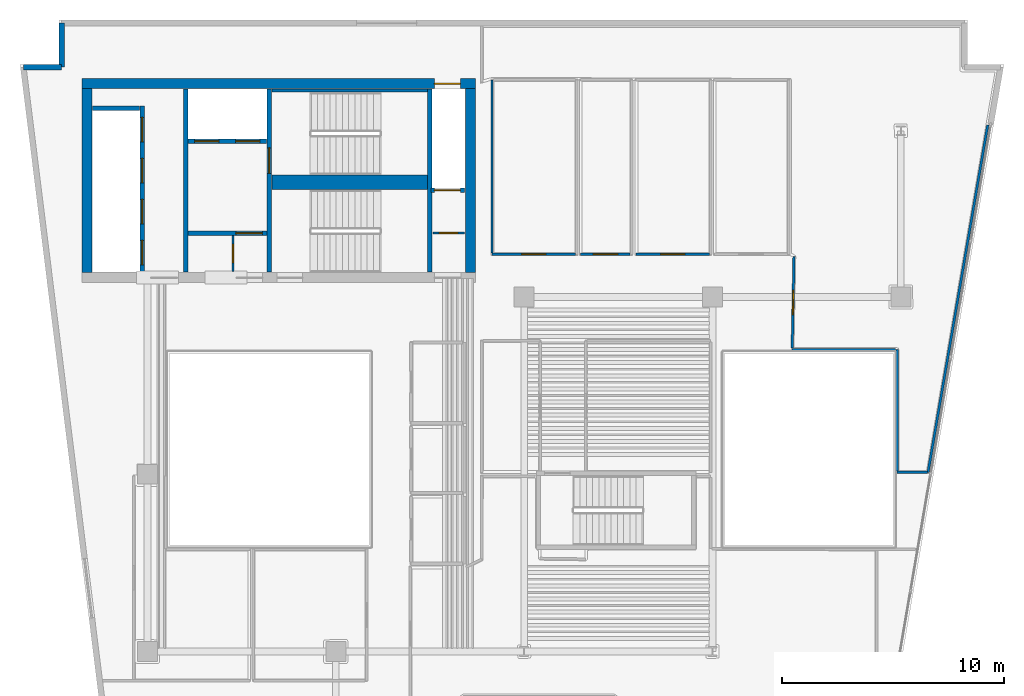
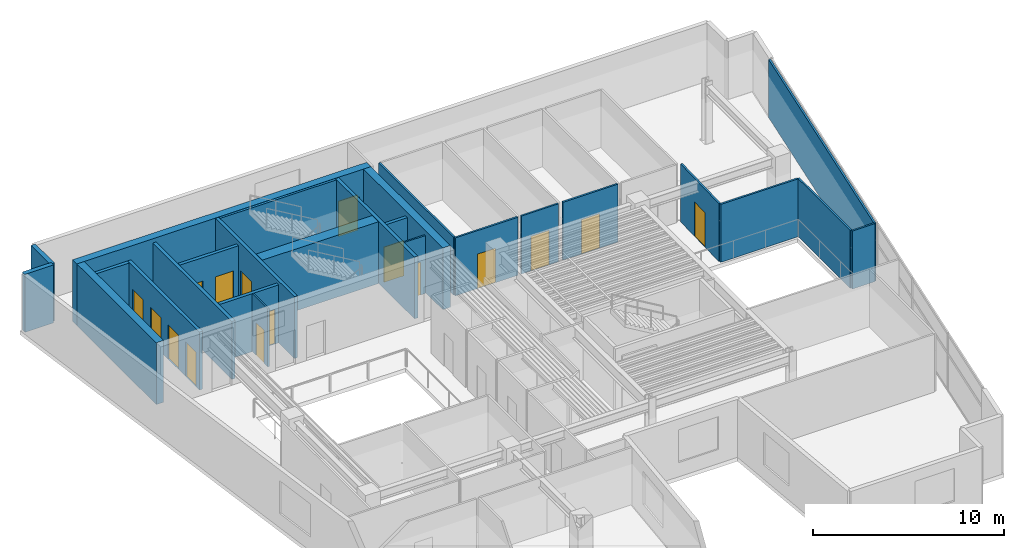
# One storey, part 5 of 9: 26 walls, 16 doors, 16 openings.
"""IFC4 building model written with IfcOpenShell, lengths in metres."""

from ifc_helpers import new_model, si_unit, direction, frame, frame_2d, origin, place, context, subcontext, project, spatial, rectangle, extrude, material, layer, layer_set, type_object, element, fill, save


model = new_model("IFC4")

# Units and contexts
model_context = context("Model", 3, precision=1e-05, world=origin(), true_north=direction((0.0, 1.0)))
body_context = subcontext(model_context, "Body", "Model", "MODEL_VIEW")
ifc_project = project(units=[si_unit("LENGTHUNIT", "METRE"), si_unit("AREAUNIT", "SQUARE_METRE"), si_unit("VOLUMEUNIT", "CUBIC_METRE"), si_unit("PLANEANGLEUNIT", "RADIAN"), si_unit("MASSUNIT", "GRAM", prefix="KILO")], contexts=[model_context])

# Site, building, storey
site_placement = place(None, origin())
site = spatial("IfcSite", under=ifc_project, at=site_placement, CompositionType="ELEMENT")
building_placement = place(site_placement, origin())
building = spatial("IfcBuilding", under=site, at=building_placement, Name="Caeloran Harvest Quay", CompositionType="ELEMENT")
storey_placement = place(building_placement, frame((0.0, 0.0, 195.60009765625)))
storey = spatial("IfcBuildingStorey", under=building, at=storey_placement, Name="L46", CompositionType="ELEMENT", Elevation=195.60009765625)

# Walls
ifc_material_1 = material(Name="Precast concrete C50/60", Category="concrete")
ifc_layer_1 = layer(ifc_material_1, 0.260009765625, Name="Precast concrete C50/60")
ifc_layer_set_1 = layer_set([ifc_layer_1], Name="Precast concrete C50/60")
wall_type_1 = type_object("IfcWallType", Name="ENV-WALL-EW-260", PredefinedType="STANDARD", material=ifc_layer_set_1)
wall_1_placement = place(storey_placement, frame((2.89599609375, 41.3701171875, 0.0), z_axis=(0.0, 0.0, 1.0), x_axis=(1.0, 0.0, 0.0)))
element("IfcWall", 1, at=wall_1_placement, inside=storey, type_object=wall_type_1, Name="L46 Exterior Precast Concrete Facade Wall 4", PredefinedType="STANDARD", context=body_context, shape_type="SweptSolid", body=[
    extrude(rectangle(XDim=1.73388671875, YDim=0.260009765625, at=frame_2d((0.866943359375, 0.0))), origin(), (0.0, 0.0, 1.0), 3.699951171875),
])
wall_2_placement = place(storey_placement, frame((4.6298828125, 41.3701171875, 0.0), z_axis=(0.0, 0.0, 1.0), x_axis=(0.0, 1.0, 0.0)))
element("IfcWall", 2, at=wall_2_placement, inside=storey, type_object=wall_type_1, Name="L46 Exterior Precast Concrete Facade Wall 5", PredefinedType="STANDARD", context=body_context, shape_type="SweptSolid", body=[
    extrude(rectangle(XDim=2.0, YDim=0.260009765625, at=frame_2d((1.0, 0.0))), origin(), (0.0, 0.0, 1.0), 3.699951171875),
])

# Wall, opening, door
ifc_material_2 = material(Name="Fire-Resisting Gypsum Core Riser Partition", Category="gypsum")
ifc_layer_2 = layer(ifc_material_2, 0.10009765625, Name="Fire-Resisting Gypsum Core Riser Partition")
ifc_layer_set_2 = layer_set([ifc_layer_2], Name="Fire-Resisting Gypsum Core Riser Partition")
wall_type_2 = type_object("IfcWallType", Name="INT-WALL-PW-100", PredefinedType="PARTITIONING", material=ifc_layer_set_2)
wall_3_placement = place(storey_placement, frame((12.360107421875, 32.159912109375, 0.0), z_axis=(0.0, 0.0, 1.0), x_axis=(0.0, 1.0, 0.0)))
wall_3 = element("IfcWall", 3, at=wall_3_placement, inside=storey, type_object=wall_type_2, Name="L46 Core Store Partition Wall", PredefinedType="PARTITIONING", context=body_context, shape_type="SweptSolid", body=[
    extrude(rectangle(XDim=1.6201171875, YDim=0.10009765625, at=frame_2d((0.81005859375, 0.0))), origin(), (0.0, 0.0, 1.0), 3.699951171875),
])
opening_1_placement = place(wall_3_placement, frame((0.3798828125, 0.0, 0.0)))
opening_1 = element("IfcOpeningElement", 4, at=opening_1_placement, cuts=wall_3, Name="Opening SV-01", PredefinedType="OPENING", context=body_context, shape_type="SweptSolid", body=[
    extrude(rectangle(XDim=0.85009765625, YDim=2.10009765625, at=frame_2d((0.425048828125, 1.050048828125))), frame((0.0, 0.06005859375, 0.0), z_axis=(0.0, -1.0, 0.0), x_axis=(1.0, 0.0, 0.0)), (0.0, 0.0, 1.0), 0.1201171875),
])
ifc_material_3 = material(Name="Galvanized Painted Steel", Category="steel")
door_type_1 = type_object("IfcDoorType", Name="INTDOOR-SV-01", OperationType="NOTDEFINED", PredefinedType="DOOR", material=ifc_material_3)
door_1_placement = place(opening_1_placement, origin())
door_1 = element("IfcDoor", 5, at=door_1_placement, inside=storey, type_object=door_type_1, Name="L46 Core Service Room Access Door", OperationType="SINGLE_SWING_LEFT", OverallHeight=2.10009765625, OverallWidth=0.85009765625, PredefinedType="DOOR", context=body_context, shape_type="SweptSolid", body=[
    extrude(rectangle(XDim=0.85009765625, YDim=2.10009765625, at=frame_2d((0.425048828125, 1.050048828125))), frame((0.0, 0.02490234375, 0.0), z_axis=(0.0, -1.0, 0.0), x_axis=(1.0, 0.0, 0.0)), (0.0, 0.0, 1.0), 0.050048828125),
])
fill(opening_1, door_1)

wall_4_placement = place(storey_placement, frame((21.3798828125, 33.889892578125, 0.0), z_axis=(0.0, 0.0, 1.0), x_axis=(1.0, 0.0, 0.0)))
wall_4 = element("IfcWall", 6, at=wall_4_placement, inside=storey, type_object=wall_type_2, Name="L46 Cleaner Store Partition Wall", PredefinedType="PARTITIONING", context=body_context, shape_type="SweptSolid", body=[
    extrude(rectangle(XDim=1.420166015625, YDim=0.10009765625, at=frame_2d((0.7099609375, 0.0))), origin(), (0.0, 0.0, 1.0), 3.699951171875),
])
opening_2_placement = place(wall_4_placement, frame((0.280029296875, 0.0, 0.0)))
opening_2 = element("IfcOpeningElement", 7, at=opening_2_placement, cuts=wall_4, Name="Opening SV-01", PredefinedType="OPENING", context=body_context, shape_type="SweptSolid", body=[
    extrude(rectangle(XDim=0.85009765625, YDim=2.10009765625, at=frame_2d((0.425048828125, 1.050048828125))), frame((0.0, 0.06005859375, 0.0), z_axis=(0.0, -1.0, 0.0), x_axis=(1.0, 0.0, 0.0)), (0.0, 0.0, 1.0), 0.1201171875),
])
door_2_placement = place(opening_2_placement, origin())
door_2 = element("IfcDoor", 8, at=door_2_placement, inside=storey, type_object=door_type_1, Name="L46 Cleaner Supply Store Access Door", OperationType="SINGLE_SWING_RIGHT", OverallHeight=2.10009765625, OverallWidth=0.85009765625, PredefinedType="DOOR", context=body_context, shape_type="SweptSolid", body=[
    extrude(rectangle(XDim=0.85009765625, YDim=2.10009765625, at=frame_2d((0.425048828125, 1.050048828125))), frame((0.0, 0.02490234375, 0.0), z_axis=(0.0, -1.0, 0.0), x_axis=(1.0, 0.0, 0.0)), (0.0, 0.0, 1.0), 0.050048828125),
])
fill(opening_2, door_2)

ifc_material_4 = material(Name="Single-Stud Acoustic Gypsum Office Partition", Category="gypsum")
ifc_layer_3 = layer(ifc_material_4, 0.112060546875, Name="Single-Stud Acoustic Gypsum Office Partition")
ifc_layer_set_3 = layer_set([ifc_layer_3], Name="Single-Stud Acoustic Gypsum Office Partition")
wall_type_3 = type_object("IfcWallType", Name="INT-WALL-PW-112", PredefinedType="PARTITIONING", material=ifc_layer_set_3)
wall_5_placement = place(storey_placement, frame((27.819091796875, 32.919921875, 0.0), z_axis=(0.0, 0.0, 1.0), x_axis=(-1.0, 0.0, 0.0)))
wall_5 = element("IfcWall", 9, at=wall_5_placement, inside=storey, type_object=wall_type_3, Name="L46 Crop Phenotyping West Laboratory Partition Wall", PredefinedType="PARTITIONING", context=body_context, shape_type="SweptSolid", body=[
    extrude(rectangle(XDim=3.76904296875, YDim=0.112060546875, at=frame_2d((1.884521484375, 0.0))), origin(), (0.0, 0.0, 1.0), 3.699951171875),
])
opening_3_placement = place(wall_5_placement, frame((1.33447265625, 0.0, 0.0)))
opening_3 = element("IfcOpeningElement", 10, at=opening_3_placement, cuts=wall_5, Name="Opening ID-04", PredefinedType="OPENING", context=body_context, shape_type="SweptSolid", body=[
    extrude(rectangle(XDim=1.10009765625, YDim=2.199951171875, at=frame_2d((0.550048828125, 1.10009765625))), frame((0.0, 0.06591796875, 0.0), z_axis=(0.0, -1.0, 0.0), x_axis=(1.0, 0.0, 0.0)), (0.0, 0.0, 1.0), 0.132080078125),
])
ifc_material_5 = material(Name="Acoustic Walnut Veneer Executive Door", Category="wood")
door_type_2 = type_object("IfcDoorType", Name="INTDOOR-ID-04", OperationType="NOTDEFINED", PredefinedType="DOOR", material=ifc_material_5)
door_3_placement = place(opening_3_placement, origin())
door_3 = element("IfcDoor", 11, at=door_3_placement, inside=storey, type_object=door_type_2, Name="L46 Crop Phenotyping West Laboratory Access Door", OperationType="SINGLE_SWING_LEFT", OverallHeight=2.199951171875, OverallWidth=1.10009765625, PredefinedType="DOOR", context=body_context, shape_type="SweptSolid", body=[
    extrude(rectangle(XDim=1.10009765625, YDim=2.199951171875, at=frame_2d((0.550048828125, 1.10009765625))), frame((0.0, 0.02490234375, 0.0), z_axis=(0.0, -1.0, 0.0), x_axis=(1.0, 0.0, 0.0)), (0.0, 0.0, 1.0), 0.050048828125),
])
fill(opening_3, door_3)

# Wall
wall_6_placement = place(storey_placement, frame((24.050048828125, 32.98095703125, 0.0), z_axis=(0.0, 0.0, 1.0), x_axis=(0.0, 1.0, 0.0)))
element("IfcWall", 12, at=wall_6_placement, inside=storey, type_object=wall_type_3, Name="L46 Crop Phenotyping West Laboratory Partition Wall", PredefinedType="PARTITIONING", context=body_context, shape_type="SweptSolid", body=[
    extrude(rectangle(XDim=7.819091796875, YDim=0.112060546875, at=frame_2d((3.90966796875, 0.0))), origin(), (0.0, 0.0, 1.0), 3.699951171875),
])

# Wall, opening, door
wall_7_placement = place(storey_placement, frame((30.2890625, 32.919921875, 0.0), z_axis=(0.0, 0.0, 1.0), x_axis=(-1.0, 0.0, 0.0)))
wall_7 = element("IfcWall", 13, at=wall_7_placement, inside=storey, type_object=wall_type_3, Name="L46 Genomics Sequencing East Studio Partition Wall", PredefinedType="PARTITIONING", context=body_context, shape_type="SweptSolid", body=[
    extrude(rectangle(XDim=2.2490234375, YDim=0.112060546875, at=frame_2d((1.12451171875, 0.0))), origin(), (0.0, 0.0, 1.0), 3.699951171875),
])
opening_4_placement = place(wall_7_placement, frame((0.574462890625, 0.0, 0.0)))
opening_4 = element("IfcOpeningElement", 14, at=opening_4_placement, cuts=wall_7, Name="Opening ID-04", PredefinedType="OPENING", context=body_context, shape_type="SweptSolid", body=[
    extrude(rectangle(XDim=1.10009765625, YDim=2.199951171875, at=frame_2d((0.550048828125, 1.10009765625))), frame((0.0, 0.06591796875, 0.0), z_axis=(0.0, -1.0, 0.0), x_axis=(1.0, 0.0, 0.0)), (0.0, 0.0, 1.0), 0.132080078125),
])
door_4_placement = place(opening_4_placement, origin())
door_4 = element("IfcDoor", 15, at=door_4_placement, inside=storey, type_object=door_type_2, Name="L46 Genomics Sequencing East Studio Access Door", OperationType="SINGLE_SWING_RIGHT", OverallHeight=2.199951171875, OverallWidth=1.10009765625, PredefinedType="DOOR", context=body_context, shape_type="SweptSolid", body=[
    extrude(rectangle(XDim=1.10009765625, YDim=2.199951171875, at=frame_2d((0.550048828125, 1.10009765625))), frame((0.0, 0.02490234375, 0.0), z_axis=(0.0, -1.0, 0.0), x_axis=(1.0, 0.0, 0.0)), (0.0, 0.0, 1.0), 0.050048828125),
])
fill(opening_4, door_4)

wall_8_placement = place(storey_placement, frame((33.85888671875, 32.919921875, 0.0), z_axis=(0.0, 0.0, 1.0), x_axis=(-1.0, 0.0, 0.0)))
wall_8 = element("IfcWall", 16, at=wall_8_placement, inside=storey, type_object=wall_type_3, Name="L46 Agri-Genomics West Boardroom Partition Wall", PredefinedType="PARTITIONING", context=body_context, shape_type="SweptSolid", body=[
    extrude(rectangle(XDim=3.308837890625, YDim=0.112060546875, at=frame_2d((1.654296875, 0.0))), origin(), (0.0, 0.0, 1.0), 3.699951171875),
])
opening_5_placement = place(wall_8_placement, frame((1.1044921875, 0.0, 0.0)))
opening_5 = element("IfcOpeningElement", 17, at=opening_5_placement, cuts=wall_8, Name="Opening ID-04", PredefinedType="OPENING", context=body_context, shape_type="SweptSolid", body=[
    extrude(rectangle(XDim=1.10009765625, YDim=2.199951171875, at=frame_2d((0.550048828125, 1.10009765625))), frame((0.0, 0.06591796875, 0.0), z_axis=(0.0, -1.0, 0.0), x_axis=(1.0, 0.0, 0.0)), (0.0, 0.0, 1.0), 0.132080078125),
])
door_5_placement = place(opening_5_placement, origin())
door_5 = element("IfcDoor", 18, at=door_5_placement, inside=storey, type_object=door_type_2, Name="L46 Agri-Genomics West Boardroom Access Door", OperationType="SINGLE_SWING_LEFT", OverallHeight=2.199951171875, OverallWidth=1.10009765625, PredefinedType="DOOR", context=body_context, shape_type="SweptSolid", body=[
    extrude(rectangle(XDim=1.10009765625, YDim=2.199951171875, at=frame_2d((0.550048828125, 1.10009765625))), frame((0.0, 0.02490234375, 0.0), z_axis=(0.0, -1.0, 0.0), x_axis=(1.0, 0.0, 0.0)), (0.0, 0.0, 1.0), 0.050048828125),
])
fill(opening_5, door_5)

# Walls
wall_9_placement = place(storey_placement, frame((46.422119140625, 38.7626953125, 0.0), z_axis=(0.0, 0.0, 1.0), x_axis=(-0.169427539839, -0.985542646842, 0.0)))
element("IfcWall", 19, at=wall_9_placement, inside=storey, type_object=wall_type_3, Name="IT Comms Laboratory Partition Wall", PredefinedType="PARTITIONING", context=body_context, shape_type="SweptSolid", body=[
    extrude(rectangle(XDim=15.91259765625, YDim=0.112060546875, at=frame_2d((7.956298828125, 0.0))), origin(), (0.0, 0.0, 1.0), 3.699951171875),
])
wall_10_placement = place(storey_placement, frame((43.696533203125, 23.080078125, 0.0), z_axis=(0.0, 0.0, 1.0), x_axis=(-1.0, 0.0, 0.0)))
element("IfcWall", 20, at=wall_10_placement, inside=storey, type_object=wall_type_3, Name="IT Comms Laboratory Partition Wall", PredefinedType="PARTITIONING", context=body_context, shape_type="SweptSolid", body=[
    extrude(rectangle(XDim=1.366455078125, YDim=0.112060546875, at=frame_2d((0.68310546875, 0.0))), origin(), (0.0, 0.0, 1.0), 3.699951171875),
])
wall_11_placement = place(storey_placement, frame((42.330078125, 23.14111328125, 0.0), z_axis=(0.0, 0.0, 1.0), x_axis=(0.0, 1.0, 0.0)))
element("IfcWall", 21, at=wall_11_placement, inside=storey, type_object=wall_type_3, Name="IT Comms Laboratory Partition Wall", PredefinedType="PARTITIONING", context=body_context, shape_type="SweptSolid", body=[
    extrude(rectangle(XDim=5.48876953125, YDim=0.112060546875, at=frame_2d((2.744384765625, 0.0))), origin(), (0.0, 0.0, 1.0), 3.699951171875),
])
wall_12_placement = place(storey_placement, frame((42.26904296875, 28.6298828125, 0.0), z_axis=(0.0, 0.0, 1.0), x_axis=(-1.0, 0.0, 0.0)))
element("IfcWall", 22, at=wall_12_placement, inside=storey, type_object=wall_type_3, Name="IT Comms Laboratory Partition Wall", PredefinedType="PARTITIONING", context=body_context, shape_type="SweptSolid", body=[
    extrude(rectangle(XDim=4.671142578125, YDim=0.112060546875, at=frame_2d((2.33544921875, 0.0))), origin(), (0.0, 0.0, 1.0), 3.699951171875),
])

# Wall, opening, door
wall_13_placement = place(storey_placement, frame((37.59912109375, 28.69091796875, 0.0), z_axis=(0.0, 0.0, 1.0), x_axis=(0.019566997539, 0.999808547977, 0.0)))
wall_13 = element("IfcWall", 23, at=wall_13_placement, inside=storey, type_object=wall_type_3, Name="IT Comms Laboratory Partition Wall", PredefinedType="PARTITIONING", context=body_context, shape_type="SweptSolid", body=[
    extrude(rectangle(XDim=4.1298828125, YDim=0.112060546875, at=frame_2d((2.06494140625, 0.0))), origin(), (0.0, 0.0, 1.0), 3.699951171875),
])
opening_6_placement = place(wall_13_placement, frame((1.514892578125, 0.0, 0.0)))
opening_6 = element("IfcOpeningElement", 24, at=opening_6_placement, cuts=wall_13, Name="Opening ID-04", PredefinedType="OPENING", context=body_context, shape_type="SweptSolid", body=[
    extrude(rectangle(XDim=1.10009765625, YDim=2.199951171875, at=frame_2d((0.550048828125, 1.10009765625))), frame((0.0, 0.06591796875, 0.0), z_axis=(0.0, -1.0, 0.0), x_axis=(1.0, 0.0, 0.0)), (0.0, 0.0, 1.0), 0.132080078125),
])
door_6_placement = place(opening_6_placement, origin())
door_6 = element("IfcDoor", 25, at=door_6_placement, inside=storey, type_object=door_type_2, Name="IT Comms Laboratory Access Door", OperationType="SINGLE_SWING_LEFT", OverallHeight=2.199951171875, OverallWidth=1.10009765625, PredefinedType="DOOR", context=body_context, shape_type="SweptSolid", body=[
    extrude(rectangle(XDim=1.10009765625, YDim=2.199951171875, at=frame_2d((0.550048828125, 1.10009765625))), frame((0.0, 0.02490234375, 0.0), z_axis=(0.0, -1.0, 0.0), x_axis=(1.0, 0.0, 0.0)), (0.0, 0.0, 1.0), 0.050048828125),
])
fill(opening_6, door_6)

# Wall, openings, doors
ifc_material_6 = material(Name="Concrete C50/60", Category="concrete")
ifc_layer_4 = layer(ifc_material_6, 0.199951171875, Name="Concrete C50/60")
ifc_layer_set_4 = layer_set([ifc_layer_4], Name="Concrete C50/60")
wall_type_4 = type_object("IfcWallType", Name="INT-WALL-SW-200", PredefinedType="PARTITIONING", material=ifc_layer_set_4)
wall_14_placement = place(storey_placement, frame((8.260009765625, 32.1201171875, 0.0), z_axis=(0.0, 0.0, 1.0), x_axis=(0.0, 1.0, 0.0)))
wall_14 = element("IfcWall", 26, at=wall_14_placement, inside=storey, type_object=wall_type_4, Name="L46 Bank 3 Lift Shaft Wall", PredefinedType="PARTITIONING", context=body_context, shape_type="SweptSolid", body=[
    extrude(rectangle(XDim=7.5, YDim=0.199951171875, at=frame_2d((3.75, 0.0))), origin(), (0.0, 0.0, 1.0), 3.699951171875),
])
opening_7_placement = place(wall_14_placement, frame((0.330078125, 0.0, 0.0)))
opening_7 = element("IfcOpeningElement", 27, at=opening_7_placement, cuts=wall_14, Name="Opening LD-01", PredefinedType="OPENING", context=body_context, shape_type="SweptSolid", body=[
    extrude(rectangle(XDim=1.10009765625, YDim=2.199951171875, at=frame_2d((0.550048828125, 1.10009765625))), frame((0.0, 0.10986328125, 0.0), z_axis=(0.0, -1.0, 0.0), x_axis=(1.0, 0.0, 0.0)), (0.0, 0.0, 1.0), 0.219970703125),
])
opening_8_placement = place(wall_14_placement, frame((2.179931640625, 0.0, 0.0)))
opening_8 = element("IfcOpeningElement", 28, at=opening_8_placement, cuts=wall_14, Name="Opening LD-01", PredefinedType="OPENING", context=body_context, shape_type="SweptSolid", body=[
    extrude(rectangle(XDim=1.10009765625, YDim=2.199951171875, at=frame_2d((0.550048828125, 1.10009765625))), frame((0.0, 0.10986328125, 0.0), z_axis=(0.0, -1.0, 0.0), x_axis=(1.0, 0.0, 0.0)), (0.0, 0.0, 1.0), 0.219970703125),
])
opening_9_placement = place(wall_14_placement, frame((4.030029296875, 0.0, 0.0)))
opening_9 = element("IfcOpeningElement", 29, at=opening_9_placement, cuts=wall_14, Name="Opening LD-01", PredefinedType="OPENING", context=body_context, shape_type="SweptSolid", body=[
    extrude(rectangle(XDim=1.10009765625, YDim=2.199951171875, at=frame_2d((0.550048828125, 1.10009765625))), frame((0.0, 0.10986328125, 0.0), z_axis=(0.0, -1.0, 0.0), x_axis=(1.0, 0.0, 0.0)), (0.0, 0.0, 1.0), 0.219970703125),
])
opening_10_placement = place(wall_14_placement, frame((5.8798828125, 0.0, 0.0)))
opening_10 = element("IfcOpeningElement", 30, at=opening_10_placement, cuts=wall_14, Name="Opening LD-01", PredefinedType="OPENING", context=body_context, shape_type="SweptSolid", body=[
    extrude(rectangle(XDim=1.10009765625, YDim=2.199951171875, at=frame_2d((0.550048828125, 1.10009765625))), frame((0.0, 0.10986328125, 0.0), z_axis=(0.0, -1.0, 0.0), x_axis=(1.0, 0.0, 0.0)), (0.0, 0.0, 1.0), 0.219970703125),
])
ifc_material_7 = material(Name="Stainless Steel Grade 316", Category="steel")
door_type_3 = type_object("IfcDoorType", Name="INTDOOR-LD-01", OperationType="NOTDEFINED", PredefinedType="DOOR", material=ifc_material_7)
door_7_placement = place(opening_7_placement, origin())
door_7 = element("IfcDoor", 31, at=door_7_placement, inside=storey, type_object=door_type_3, Name="Lift P3-1 Sliding Landing Door (L46)", OperationType="DOUBLE_DOOR_SLIDING", OverallHeight=2.199951171875, OverallWidth=1.10009765625, PredefinedType="DOOR", context=body_context, shape_type="SweptSolid", body=[
    extrude(rectangle(XDim=1.10009765625, YDim=2.199951171875, at=frame_2d((0.550048828125, 1.10009765625))), frame((0.0, 0.02490234375, 0.0), z_axis=(0.0, -1.0, 0.0), x_axis=(1.0, 0.0, 0.0)), (0.0, 0.0, 1.0), 0.050048828125),
])
fill(opening_7, door_7)
door_8_placement = place(opening_8_placement, origin())
door_8 = element("IfcDoor", 32, at=door_8_placement, inside=storey, type_object=door_type_3, Name="Lift P3-2 Sliding Landing Door (L46)", OperationType="DOUBLE_DOOR_SLIDING", OverallHeight=2.199951171875, OverallWidth=1.10009765625, PredefinedType="DOOR", context=body_context, shape_type="SweptSolid", body=[
    extrude(rectangle(XDim=1.10009765625, YDim=2.199951171875, at=frame_2d((0.550048828125, 1.10009765625))), frame((0.0, 0.02490234375, 0.0), z_axis=(0.0, -1.0, 0.0), x_axis=(1.0, 0.0, 0.0)), (0.0, 0.0, 1.0), 0.050048828125),
])
fill(opening_8, door_8)
door_9_placement = place(opening_9_placement, origin())
door_9 = element("IfcDoor", 33, at=door_9_placement, inside=storey, type_object=door_type_3, Name="Lift P3-3 Sliding Landing Door (L46)", OperationType="DOUBLE_DOOR_SLIDING", OverallHeight=2.199951171875, OverallWidth=1.10009765625, PredefinedType="DOOR", context=body_context, shape_type="SweptSolid", body=[
    extrude(rectangle(XDim=1.10009765625, YDim=2.199951171875, at=frame_2d((0.550048828125, 1.10009765625))), frame((0.0, 0.02490234375, 0.0), z_axis=(0.0, -1.0, 0.0), x_axis=(1.0, 0.0, 0.0)), (0.0, 0.0, 1.0), 0.050048828125),
])
fill(opening_9, door_9)
door_10_placement = place(opening_10_placement, origin())
door_10 = element("IfcDoor", 34, at=door_10_placement, inside=storey, type_object=door_type_3, Name="Lift P3-4 Sliding Landing Door (L46)", OperationType="DOUBLE_DOOR_SLIDING", OverallHeight=2.199951171875, OverallWidth=1.10009765625, PredefinedType="DOOR", context=body_context, shape_type="SweptSolid", body=[
    extrude(rectangle(XDim=1.10009765625, YDim=2.199951171875, at=frame_2d((0.550048828125, 1.10009765625))), frame((0.0, 0.02490234375, 0.0), z_axis=(0.0, -1.0, 0.0), x_axis=(1.0, 0.0, 0.0)), (0.0, 0.0, 1.0), 0.050048828125),
])
fill(opening_10, door_10)

# Walls
wall_15_placement = place(storey_placement, frame((6.02001953125, 39.52001953125, 0.0), z_axis=(0.0, 0.0, 1.0), x_axis=(1.0, 0.0, 0.0)))
element("IfcWall", 35, at=wall_15_placement, inside=storey, type_object=wall_type_4, Name="L46 Bank 3 Lift Shaft North End Wall", PredefinedType="PARTITIONING", context=body_context, shape_type="SweptSolid", body=[
    extrude(rectangle(XDim=2.119873046875, YDim=0.199951171875, at=frame_2d((1.06005859375, 0.0))), origin(), (0.0, 0.0, 1.0), 3.699951171875),
])
wall_16_placement = place(storey_placement, frame((10.219970703125, 32.1201171875, 0.0), z_axis=(0.0, 0.0, 1.0), x_axis=(0.0, 1.0, 0.0)))
element("IfcWall", 36, at=wall_16_placement, inside=storey, type_object=wall_type_4, Name="L46 Core Lobby Compartment Wall", PredefinedType="PARTITIONING", context=body_context, shape_type="SweptSolid", body=[
    extrude(rectangle(XDim=8.259765625, YDim=0.199951171875, at=frame_2d((4.1298828125, 0.0))), origin(), (0.0, 0.0, 1.0), 3.699951171875),
])

# Wall, openings, doors
wall_17_placement = place(storey_placement, frame((10.340087890625, 38.02001953125, 0.0), z_axis=(0.0, 0.0, 1.0), x_axis=(1.0, 0.0, 0.0)))
wall_17 = element("IfcWall", 37, at=wall_17_placement, inside=storey, type_object=wall_type_4, Name="L46 Firefighting Lift Shaft Wall", PredefinedType="PARTITIONING", context=body_context, shape_type="SweptSolid", body=[
    extrude(rectangle(XDim=3.539794921875, YDim=0.199951171875, at=frame_2d((1.77001953125, 0.0))), origin(), (0.0, 0.0, 1.0), 3.699951171875),
])
opening_11_placement = place(wall_17_placement, frame((0.284912109375, 0.0, 0.0)))
opening_11 = element("IfcOpeningElement", 38, at=opening_11_placement, cuts=wall_17, Name="Opening LD-01", PredefinedType="OPENING", context=body_context, shape_type="SweptSolid", body=[
    extrude(rectangle(XDim=1.10009765625, YDim=2.199951171875, at=frame_2d((0.550048828125, 1.10009765625))), frame((0.0, 0.10986328125, 0.0), z_axis=(0.0, -1.0, 0.0), x_axis=(1.0, 0.0, 0.0)), (0.0, 0.0, 1.0), 0.219970703125),
])
opening_12_placement = place(wall_17_placement, frame((2.135009765625, 0.0, 0.0)))
opening_12 = element("IfcOpeningElement", 39, at=opening_12_placement, cuts=wall_17, Name="Opening LD-01", PredefinedType="OPENING", context=body_context, shape_type="SweptSolid", body=[
    extrude(rectangle(XDim=1.10009765625, YDim=2.199951171875, at=frame_2d((0.550048828125, 1.10009765625))), frame((0.0, 0.10986328125, 0.0), z_axis=(0.0, -1.0, 0.0), x_axis=(1.0, 0.0, 0.0)), (0.0, 0.0, 1.0), 0.219970703125),
])
door_11_placement = place(opening_11_placement, origin())
door_11 = element("IfcDoor", 40, at=door_11_placement, inside=storey, type_object=door_type_3, Name="Lift FF-1 Sliding Landing Door (L46)", OperationType="DOUBLE_DOOR_SLIDING", OverallHeight=2.199951171875, OverallWidth=1.10009765625, PredefinedType="DOOR", context=body_context, shape_type="SweptSolid", body=[
    extrude(rectangle(XDim=1.10009765625, YDim=2.199951171875, at=frame_2d((0.550048828125, 1.10009765625))), frame((0.0, 0.02490234375, 0.0), z_axis=(0.0, -1.0, 0.0), x_axis=(1.0, 0.0, 0.0)), (0.0, 0.0, 1.0), 0.050048828125),
])
fill(opening_11, door_11)
door_12_placement = place(opening_12_placement, origin())
door_12 = element("IfcDoor", 41, at=door_12_placement, inside=storey, type_object=door_type_3, Name="Lift FF-2 Sliding Landing Door (L46)", OperationType="DOUBLE_DOOR_SLIDING", OverallHeight=2.199951171875, OverallWidth=1.10009765625, PredefinedType="DOOR", context=body_context, shape_type="SweptSolid", body=[
    extrude(rectangle(XDim=1.10009765625, YDim=2.199951171875, at=frame_2d((0.550048828125, 1.10009765625))), frame((0.0, 0.02490234375, 0.0), z_axis=(0.0, -1.0, 0.0), x_axis=(1.0, 0.0, 0.0)), (0.0, 0.0, 1.0), 0.050048828125),
])
fill(opening_12, door_12)

# Wall, opening, door
wall_18_placement = place(storey_placement, frame((10.340087890625, 33.8798828125, 0.0), z_axis=(0.0, 0.0, 1.0), x_axis=(1.0, 0.0, 0.0)))
wall_18 = element("IfcWall", 42, at=wall_18_placement, inside=storey, type_object=wall_type_4, Name="L46 Firefighting Lift Lobby Enclosure Wall", PredefinedType="PARTITIONING", context=body_context, shape_type="SweptSolid", body=[
    extrude(rectangle(XDim=3.559814453125, YDim=0.199951171875, at=frame_2d((1.77978515625, 0.0))), origin(), (0.0, 0.0, 1.0), 3.699951171875),
])
opening_13_placement = place(wall_18_placement, frame((2.14990234375, 0.0, 0.0)))
opening_13 = element("IfcOpeningElement", 43, at=opening_13_placement, cuts=wall_18, Name="Opening FD-01", PredefinedType="OPENING", context=body_context, shape_type="SweptSolid", body=[
    extrude(rectangle(XDim=1.199951171875, YDim=2.199951171875, at=frame_2d((0.60009765625, 1.10009765625))), frame((0.0, 0.10986328125, 0.0), z_axis=(0.0, -1.0, 0.0), x_axis=(1.0, 0.0, 0.0)), (0.0, 0.0, 1.0), 0.219970703125),
])
ifc_material_8 = material(Name="Steel", Category="steel")
door_type_4 = type_object("IfcDoorType", Name="INTDOOR-FD-01", OperationType="NOTDEFINED", PredefinedType="DOOR", material=ifc_material_8)
door_13_placement = place(opening_13_placement, origin())
door_13 = element("IfcDoor", 44, at=door_13_placement, inside=storey, type_object=door_type_4, Name="L46 Firefighting Lift Lobby Smoke-Seal Fire Door", OperationType="SINGLE_SWING_LEFT", OverallHeight=2.199951171875, OverallWidth=1.199951171875, PredefinedType="DOOR", context=body_context, shape_type="SweptSolid", body=[
    extrude(rectangle(XDim=1.199951171875, YDim=2.199951171875, at=frame_2d((0.60009765625, 1.10009765625))), frame((0.0, 0.02490234375, 0.0), z_axis=(0.0, -1.0, 0.0), x_axis=(1.0, 0.0, 0.0)), (0.0, 0.0, 1.0), 0.050048828125),
])
fill(opening_13, door_13)

wall_19_placement = place(storey_placement, frame((21.300048828125, 35.820068359375, 0.0), z_axis=(0.0, 0.0, 1.0), x_axis=(1.0, 0.0, 0.0)))
wall_19 = element("IfcWall", 45, at=wall_19_placement, inside=storey, type_object=wall_type_4, Name="L46 Service Lift SV-2 Shaft Wall", PredefinedType="PARTITIONING", context=body_context, shape_type="SweptSolid", body=[
    extrude(rectangle(XDim=1.5, YDim=0.199951171875, at=frame_2d((0.75, 0.0))), origin(), (0.0, 0.0, 1.0), 3.699951171875),
])
opening_14_placement = place(wall_19_placement, frame((0.14501953125, 0.0, 0.0)))
opening_14 = element("IfcOpeningElement", 46, at=opening_14_placement, cuts=wall_19, Name="Opening LD-02", PredefinedType="OPENING", context=body_context, shape_type="SweptSolid", body=[
    extrude(rectangle(XDim=1.179931640625, YDim=2.25, at=frame_2d((0.58984375, 1.125))), frame((0.0, 0.10986328125, 0.0), z_axis=(0.0, -1.0, 0.0), x_axis=(1.0, 0.0, 0.0)), (0.0, 0.0, 1.0), 0.219970703125),
])
door_type_5 = type_object("IfcDoorType", Name="INTDOOR-LD-02", OperationType="NOTDEFINED", PredefinedType="DOOR", material=ifc_material_7)
door_14_placement = place(opening_14_placement, origin())
door_14 = element("IfcDoor", 47, at=door_14_placement, inside=storey, type_object=door_type_5, Name="Lift SV-2 Sliding Landing Door (L46)", OperationType="DOUBLE_DOOR_SLIDING", OverallHeight=2.25, OverallWidth=1.179931640625, PredefinedType="DOOR", context=body_context, shape_type="SweptSolid", body=[
    extrude(rectangle(XDim=1.179931640625, YDim=2.25, at=frame_2d((0.58984375, 1.125))), frame((0.0, 0.02490234375, 0.0), z_axis=(0.0, -1.0, 0.0), x_axis=(1.0, 0.0, 0.0)), (0.0, 0.0, 1.0), 0.050048828125),
])
fill(opening_14, door_14)

ifc_material_9 = material(Name="Concrete C60/75", Category="concrete")
ifc_layer_5 = layer(ifc_material_9, 0.449951171875, Name="Concrete C60/75")
ifc_layer_set_5 = layer_set([ifc_layer_5], Name="Concrete C60/75")
wall_type_5 = type_object("IfcWallType", Name="STR-WALL-CW-450", PredefinedType="SHEAR", material=ifc_layer_set_5)
wall_20_placement = place(storey_placement, frame((5.550048828125, 40.625, 0.0), z_axis=(0.0, 0.0, 1.0), x_axis=(1.0, 0.0, 0.0)))
wall_20 = element("IfcWall", 48, at=wall_20_placement, inside=storey, type_object=wall_type_5, Name="L46 Rear Core Shear Wall N", PredefinedType="SHEAR", context=body_context, shape_type="SweptSolid", body=[
    extrude(rectangle(XDim=17.75, YDim=0.449951171875, at=frame_2d((8.875, 0.0))), origin(), (0.0, 0.0, 1.0), 3.949951171875),
])
opening_15_placement = place(wall_20_placement, frame((15.89501953125, 0.0, 0.0)))
opening_15 = element("IfcOpeningElement", 49, at=opening_15_placement, cuts=wall_20, Name="Opening LD-02", PredefinedType="OPENING", context=body_context, shape_type="SweptSolid", body=[
    extrude(rectangle(XDim=1.179931640625, YDim=2.25, at=frame_2d((0.58984375, 1.125))), frame((0.0, 0.23486328125, 0.0), z_axis=(0.0, -1.0, 0.0), x_axis=(1.0, 0.0, 0.0)), (0.0, 0.0, 1.0), 0.469970703125),
])
door_15_placement = place(opening_15_placement, origin())
door_15 = element("IfcDoor", 50, at=door_15_placement, inside=storey, type_object=door_type_5, Name="Lift SV-1 Sliding Landing Door (L46)", OperationType="DOUBLE_DOOR_SLIDING", OverallHeight=2.25, OverallWidth=1.179931640625, PredefinedType="DOOR", context=body_context, shape_type="SweptSolid", body=[
    extrude(rectangle(XDim=1.179931640625, YDim=2.25, at=frame_2d((0.58984375, 1.125))), frame((0.0, 0.02490234375, 0.0), z_axis=(0.0, -1.0, 0.0), x_axis=(1.0, 0.0, 0.0)), (0.0, 0.0, 1.0), 0.050048828125),
])
fill(opening_15, door_15)

# Walls
for number, where, z_axis, x_axis, name in (
    (51, (5.77490234375, 32.10009765625, 0.0), (0.0, 0.0, 1.0), (0.0, 1.0, 0.0), "L46 Rear Core Shear Wall W"),
    (52, (23.074951171875, 32.10009765625, 0.0), (0.0, 0.0, 1.0), (0.0, 1.0, 0.0), "L46 Rear Core Shear Wall E"),
):
    element("IfcWall", number, at=place(storey_placement, frame(where, z_axis=z_axis, x_axis=x_axis)), inside=storey, type_object=wall_type_5, Name=name, PredefinedType="SHEAR", context=body_context, shape_type="SweptSolid", body=[
        extrude(rectangle(XDim=8.2998046875, YDim=0.449951171875, at=frame_2d((4.14990234375, 0.0))), origin(), (0.0, 0.0, 1.0), 3.949951171875),
    ])
ifc_layer_6 = layer(ifc_material_9, 0.64990234375, Name="Concrete C60/75")
ifc_layer_set_6 = layer_set([ifc_layer_6], Name="Concrete C60/75")
wall_type_6 = type_object("IfcWallType", Name="STR-WALL-CW-650", PredefinedType="SHEAR", material=ifc_layer_set_6)
wall_21_placement = place(storey_placement, frame((14.1201171875, 36.175048828125, 0.0), z_axis=(0.0, 0.0, 1.0), x_axis=(1.0, 0.0, 0.0)))
element("IfcWall", 53, at=wall_21_placement, inside=storey, type_object=wall_type_6, Name="L46 Core Stairs Dividing Shear Wall", PredefinedType="SHEAR", context=body_context, shape_type="SweptSolid", body=[
    extrude(rectangle(XDim=7.009765625, YDim=0.64990234375, at=frame_2d((3.5048828125, 0.0))), origin(), (0.0, 0.0, 1.0), 3.949951171875),
])
ifc_layer_7 = layer(ifc_material_9, 0.139892578125, Name="Concrete C60/75")
ifc_layer_set_7 = layer_set([ifc_layer_7], Name="Concrete C60/75")
wall_type_7 = type_object("IfcWallType", Name="STR-WALL-SW-140", PredefinedType="SHEAR", material=ifc_layer_set_7)
wall_22_placement = place(storey_placement, frame((14.1201171875, 40.320068359375, 0.0), z_axis=(0.0, 0.0, 1.0), x_axis=(1.0, 0.0, 0.0)))
element("IfcWall", 54, at=wall_22_placement, inside=storey, type_object=wall_type_7, Name="L46 Core Stair ST-C1 North Bearing Shear Wall", PredefinedType="SHEAR", context=body_context, shape_type="SweptSolid", body=[
    extrude(rectangle(XDim=7.009765625, YDim=0.139892578125, at=frame_2d((3.5048828125, 0.0))), origin(), (0.0, 0.0, 1.0), 3.949951171875),
])

# Wall, opening, door
ifc_layer_8 = layer(ifc_material_9, 0.199951171875, Name="Concrete C60/75")
ifc_layer_set_8 = layer_set([ifc_layer_8], Name="Concrete C60/75")
wall_type_8 = type_object("IfcWallType", Name="STR-WALL-SW-200", PredefinedType="SHEAR", material=ifc_layer_set_8)
wall_23_placement = place(storey_placement, frame((14.0, 32.1201171875, 0.0), z_axis=(0.0, 0.0, 1.0), x_axis=(0.0, 1.0, 0.0)))
wall_23 = element("IfcWall", 55, at=wall_23_placement, inside=storey, type_object=wall_type_8, Name="L46 Core Stair Shaft West Shear Wall", PredefinedType="SHEAR", context=body_context, shape_type="SweptSolid", body=[
    extrude(rectangle(XDim=8.259765625, YDim=0.199951171875, at=frame_2d((4.1298828125, 0.0))), origin(), (0.0, 0.0, 1.0), 3.949951171875),
])
opening_16_placement = place(wall_23_placement, frame((4.4599609375, 0.0, 0.0)))
opening_16 = element("IfcOpeningElement", 56, at=opening_16_placement, cuts=wall_23, Name="Opening SD-01", PredefinedType="OPENING", context=body_context, shape_type="SweptSolid", body=[
    extrude(rectangle(XDim=1.14990234375, YDim=2.199951171875, at=frame_2d((0.574951171875, 1.10009765625))), frame((0.0, 0.10986328125, 0.0), z_axis=(0.0, -1.0, 0.0), x_axis=(1.0, 0.0, 0.0)), (0.0, 0.0, 1.0), 0.219970703125),
])
door_type_6 = type_object("IfcDoorType", Name="INTDOOR-SD-01", OperationType="NOTDEFINED", PredefinedType="DOOR", material=ifc_material_8)
door_16_placement = place(opening_16_placement, origin())
door_16 = element("IfcDoor", 57, at=door_16_placement, inside=storey, type_object=door_type_6, Name="L46 Protected Stair ST-C1 Exit Door", OperationType="SINGLE_SWING_LEFT", OverallHeight=2.199951171875, OverallWidth=1.14990234375, PredefinedType="DOOR", context=body_context, shape_type="SweptSolid", body=[
    extrude(rectangle(XDim=1.14990234375, YDim=2.199951171875, at=frame_2d((0.574951171875, 1.10009765625))), frame((0.0, 0.02490234375, 0.0), z_axis=(0.0, -1.0, 0.0), x_axis=(1.0, 0.0, 0.0)), (0.0, 0.0, 1.0), 0.050048828125),
])
fill(opening_16, door_16)

# Wall
wall_24_placement = place(storey_placement, frame((21.25, 32.1201171875, 0.0), z_axis=(0.0, 0.0, 1.0), x_axis=(0.0, 1.0, 0.0)))
element("IfcWall", 58, at=wall_24_placement, inside=storey, type_object=wall_type_8, Name="L46 Core Stair Shaft East Shear Wall", PredefinedType="SHEAR", context=body_context, shape_type="SweptSolid", body=[
    extrude(rectangle(XDim=8.259765625, YDim=0.199951171875, at=frame_2d((4.1298828125, 0.0))), origin(), (0.0, 0.0, 1.0), 3.949951171875),
])

save(model, "model.ifc")
